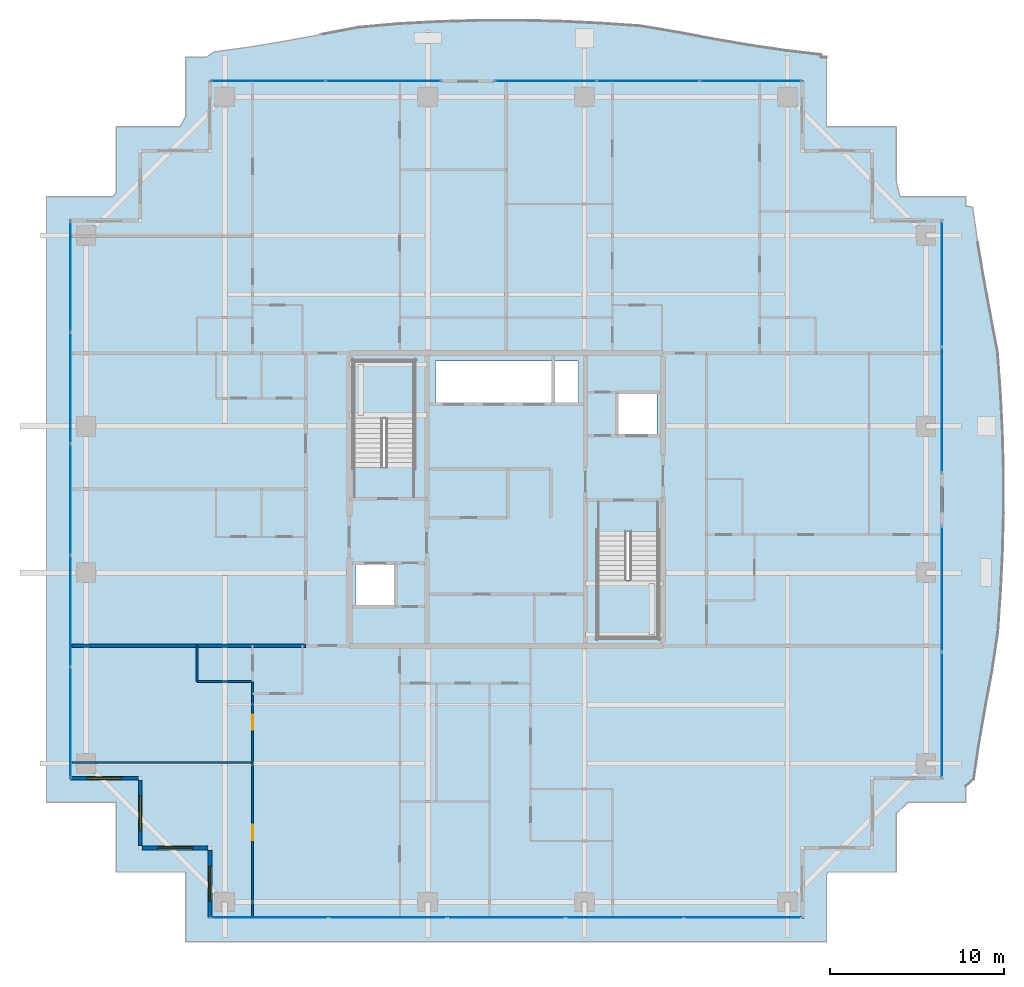
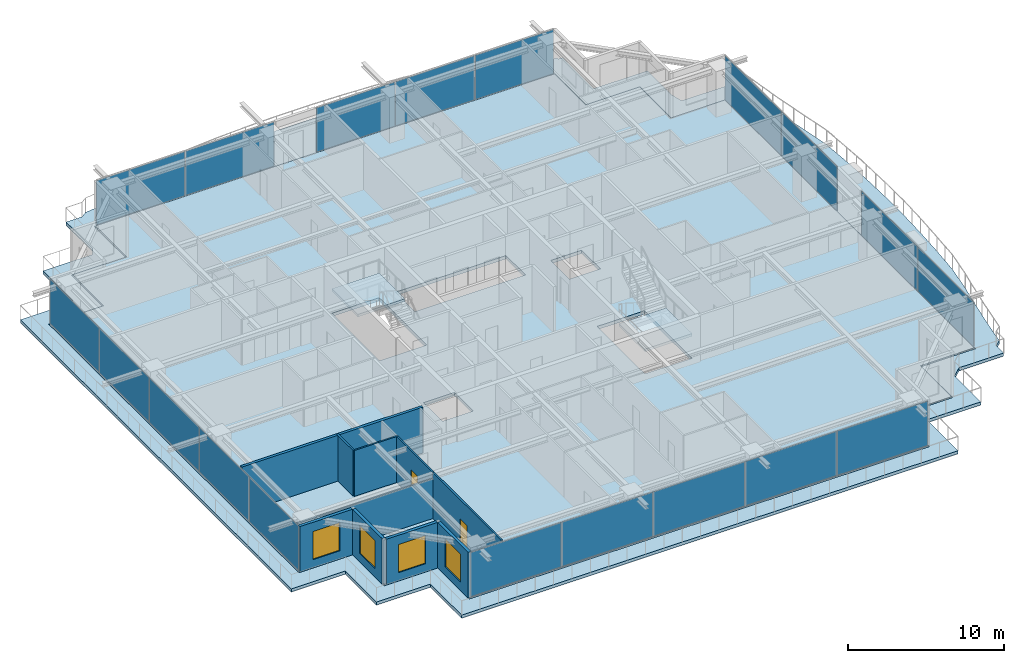
# One storey, part 25 of 37: 19 plates, 10 walls, 4 slabs, 4 windows, 2 doors, 6 openings, 8 elements without a shape of their own.
"""IFC4 building model written with IfcOpenShell, lengths in metres."""

from ifc_helpers import new_model, si_unit, direction, frame, frame_2d, origin, origin_2d, place, context, subcontext, project, spatial, polyline, rectangle, outline, extrude, source, transform, mapped, material, layer, layer_set, type_object, element, fill, aggregate, save


model = new_model("IFC4")

# Units and contexts
model_context = context("Model", 3, precision=1e-05, world=origin(), true_north=direction((0.0, 1.0)))
body_context = subcontext(model_context, "Body", "Model", "MODEL_VIEW")
ifc_project = project(units=[si_unit("LENGTHUNIT", "METRE"), si_unit("AREAUNIT", "SQUARE_METRE"), si_unit("VOLUMEUNIT", "CUBIC_METRE"), si_unit("PLANEANGLEUNIT", "RADIAN"), si_unit("MASSUNIT", "GRAM", prefix="KILO")], contexts=[model_context])

# Site, building, storey
site_placement = place(None, origin())
site = spatial("IfcSite", under=ifc_project, at=site_placement, CompositionType="ELEMENT")
building_placement = place(site_placement, origin())
building = spatial("IfcBuilding", under=site, at=building_placement, Name="Serunith Strait Residences", CompositionType="ELEMENT")
storey_placement = place(building_placement, frame((0.0, 0.0, 233.550048828125)))
storey = spatial("IfcBuildingStorey", under=building, at=storey_placement, Name="L58", CompositionType="ELEMENT", Elevation=233.550048828125)

# Slab
ifc_material_1 = material(Name="Concrete C50/60", Category="concrete")
ifc_layer_1 = layer(ifc_material_1, 0.239990234375, Name="Concrete C50/60")
ifc_layer_set_1 = layer_set([ifc_layer_1], Name="Concrete C50/60")
slab_type_1 = type_object("IfcSlabType", Name="SLB-BALC-240", PredefinedType="FLOOR", material=ifc_layer_set_1)
slab_1_placement = place(storey_placement, frame((0.0, 0.0, -0.2900390625)))
element("IfcSlab", 1, at=slab_1_placement, inside=storey, type_object=slab_type_1, Name="L58 Planted Vertical-Forest Balcony Slab", PredefinedType="FLOOR", context=body_context, shape_type="SweptSolid", body=[
    extrude(outline(polyline([(10.02001953125, 46.580078125), (13.681884765625, 46.580078125), (14.02001953125, 47.19189453125), (14.02001953125, 50.580078125), (15.205810546875, 50.580078125), (15.63671875, 50.8798828125), (17.662353515625, 51.159912109375), (19.7080078125, 51.497314453125), (21.791748046875, 51.882568359375), (23.93408203125, 52.290771484375), (26.192626953125, 52.493408203125), (28.497314453125, 52.614990234375), (30.825439453125, 52.682861328125), (33.16357421875, 52.68994140625), (35.49609375, 52.635986328125), (37.808349609375, 52.5263671875), (40.089111328125, 52.37158203125), (42.265625, 52.0048828125), (44.36669921875, 51.609619140625), (46.42333984375, 51.256103515625), (48.45458984375, 50.958740234375), (50.4755859375, 50.718505859375), (50.474609375, 50.580078125), (50.780029296875, 50.580078125), (50.780029296875, 46.580078125), (54.780029296875, 46.580078125), (54.780029296875, 43.459228515625), (54.9970703125, 42.580078125), (58.780029296875, 42.580078125), (58.780029296875, 42.039794921875), (59.168212890625, 41.974853515625), (59.460205078125, 39.94775390625), (59.80615234375, 37.898193359375), (60.194580078125, 35.80810546875), (60.598876953125, 33.65966796875), (60.764892578125, 31.39306640625), (60.881591796875, 29.092529296875), (60.943115234375, 26.77001953125), (60.943603515625, 24.438720703125), (60.883544921875, 22.1142578125), (60.769287109375, 19.809814453125), (60.611572265625, 17.535888671875), (60.2802734375, 15.34912109375), (59.886474609375, 13.243408203125), (59.530517578125, 11.1826171875), (59.226806640625, 9.148681640625), (58.780029296875, 8.7705078125), (58.780029296875, 7.820068359375), (55.471435546875, 7.820068359375), (54.780029296875, 7.172607421875), (54.780029296875, 3.820068359375), (50.881103515625, 3.820068359375), (50.780029296875, 3.665283203125), (50.780029296875, -0.179931640625), (14.02001953125, -0.179931640625), (14.02001953125, 3.820068359375), (10.02001953125, 3.820068359375), (10.02001953125, 7.820068359375), (6.02001953125, 7.820068359375), (6.02001953125, 42.580078125), (9.824951171875, 42.580078125), (10.02001953125, 42.802001953125), (10.02001953125, 46.580078125)]), holes=[polyline([(49.455078125, 1.14501953125), (49.455078125, 5.14501953125), (53.455078125, 5.14501953125), (53.455078125, 9.14501953125), (57.455078125, 9.14501953125), (57.455078125, 41.2548828125), (53.455078125, 41.2548828125), (53.455078125, 45.2548828125), (49.455078125, 45.2548828125), (49.455078125, 49.2548828125), (15.344970703125, 49.2548828125), (15.344970703125, 45.2548828125), (11.344970703125, 45.2548828125), (11.344970703125, 41.2548828125), (7.344970703125, 41.2548828125), (7.344970703125, 9.14501953125), (11.344970703125, 9.14501953125), (11.344970703125, 5.14501953125), (15.344970703125, 5.14501953125), (15.344970703125, 1.14501953125), (49.455078125, 1.14501953125)])]), origin(), (0.0, 0.0, 1.0), 0.239990234375),
])

# Stair, slab
stair_type_1 = type_object("IfcStairType", Name="STR-CORE-1", PredefinedType="HALF_TURN_STAIR", material=ifc_material_1)
stair_1_placement = place(storey_placement, origin())
stair_1 = element("IfcStair", 2, at=stair_1_placement, inside=storey, type_object=stair_type_1, Name="L58 Protected Escape Stair ST-1", PredefinedType="HALF_TURN_STAIR")
ifc_layer_2 = layer(ifc_material_1, 0.199951171875, Name="Concrete C50/60")
ifc_layer_set_2 = layer_set([ifc_layer_2], Name="Concrete C50/60")
slab_type_2 = type_object("IfcSlabType", Name="SLB-LAND-200", PredefinedType="LANDING", material=ifc_layer_set_2)
slab_2_placement = place(storey_placement, frame((0.0, 0.0, 1.724853515625)))
slab_2 = element("IfcSlab", 3, at=slab_2_placement, type_object=slab_type_2, Name="ST-1 landing 1", PredefinedType="LANDING", context=body_context, shape_type="SweptSolid", body=[
    extrude(outline(polyline([(27.14990234375, 29.830078125), (27.14990234375, 33.14990234375), (23.64990234375, 33.14990234375), (23.64990234375, 29.830078125), (27.14990234375, 29.830078125)])), origin(), (0.0, 0.0, 1.0), 0.2001953125),
])
aggregate(stair_1, [slab_2])

stair_type_2 = type_object("IfcStairType", Name="STR-CORE-2", PredefinedType="HALF_TURN_STAIR", material=ifc_material_1)
stair_2_placement = place(storey_placement, origin())
stair_2 = element("IfcStair", 4, at=stair_2_placement, inside=storey, type_object=stair_type_2, Name="L58 Protected Escape Stair ST-2", PredefinedType="HALF_TURN_STAIR")
slab_3_placement = place(storey_placement, frame((0.0, 0.0, 1.724853515625)))
slab_3 = element("IfcSlab", 5, at=slab_3_placement, type_object=slab_type_2, Name="ST-2 landing 1", PredefinedType="LANDING", context=body_context, shape_type="SweptSolid", body=[
    extrude(outline(polyline([(37.64990234375, 20.570068359375), (37.64990234375, 17.25), (41.14990234375, 17.25), (41.14990234375, 20.570068359375), (37.64990234375, 20.570068359375)])), origin(), (0.0, 0.0, 1.0), 0.2001953125),
])
aggregate(stair_2, [slab_3])

# Slab
ifc_material_2 = material(Name="Concrete C60/75", Category="concrete")
ifc_layer_3 = layer(ifc_material_2, 0.260009765625, Name="Concrete C60/75")
ifc_layer_set_3 = layer_set([ifc_layer_3], Name="Concrete C60/75")
slab_type_3 = type_object("IfcSlabType", Name="SLB-TWR-275-Z3", PredefinedType="FLOOR", material=ifc_layer_set_3)
slab_4_placement = place(storey_placement, frame((0.0, 0.0, -0.260009765625)))
element("IfcSlab", 6, at=slab_4_placement, inside=storey, type_object=slab_type_3, Name="L58 Structural Floor Plate", PredefinedType="FLOOR", context=body_context, shape_type="SweptSolid", body=[
    extrude(outline(polyline([(15.39990234375, 5.199951171875), (11.39990234375, 5.199951171875), (11.39990234375, 9.199951171875), (7.39990234375, 9.199951171875), (7.39990234375, 41.199951171875), (11.39990234375, 41.199951171875), (11.39990234375, 45.199951171875), (15.39990234375, 45.199951171875), (15.39990234375, 49.199951171875), (49.39990234375, 49.199951171875), (49.39990234375, 45.199951171875), (53.39990234375, 45.199951171875), (53.39990234375, 41.199951171875), (57.39990234375, 41.199951171875), (57.39990234375, 9.199951171875), (53.39990234375, 9.199951171875), (53.39990234375, 5.199951171875), (49.39990234375, 5.199951171875), (49.39990234375, 1.199951171875), (15.39990234375, 1.199951171875), (15.39990234375, 5.199951171875)]), holes=[polyline([(41.14990234375, 23.3701171875), (37.64990234375, 23.3701171875), (37.64990234375, 17.25), (41.14990234375, 17.25), (41.14990234375, 23.3701171875)]), polyline([(38.75, 31.25), (38.75, 28.85009765625), (41.050048828125, 28.85009765625), (41.050048828125, 31.25), (38.75, 31.25)]), polyline([(36.550048828125, 33.14990234375), (28.35009765625, 33.14990234375), (28.35009765625, 30.64990234375), (36.550048828125, 30.64990234375), (36.550048828125, 33.14990234375)]), polyline([(23.64990234375, 33.14990234375), (23.64990234375, 27.030029296875), (27.14990234375, 27.030029296875), (27.14990234375, 33.14990234375), (23.64990234375, 33.14990234375)]), polyline([(23.75, 21.550048828125), (23.75, 19.14990234375), (26.050048828125, 19.14990234375), (26.050048828125, 21.550048828125), (23.75, 21.550048828125)])]), origin(), (0.0, 0.0, 1.0), 0.260009765625),
])

# Curtain wall, plates
ifc_material_3 = material(Name="Pale-Champagne Anodised Aluminium", Category="aluminium")
ifc_layer_4 = layer(ifc_material_3, 0.199951171875, Name="Pale-Champagne Anodised Aluminium")
ifc_layer_set_4 = layer_set([ifc_layer_4], Name="Pale-Champagne Anodised Aluminium")
curtain_wall_type = type_object("IfcCurtainWallType", Name="CW-SYS4", PredefinedType="NOTDEFINED", material=ifc_layer_set_4)
curtain_wall_1_placement = place(storey_placement, origin())
curtain_wall_1 = element("IfcCurtainWall", 7, at=curtain_wall_1_placement, inside=storey, type_object=curtain_wall_type, Name="L58 W Unitised Fritted Curtain Wall", PredefinedType="NOTDEFINED")
ifc_material_4 = material(Name="Ceramic-Printed Solar-Control Glazing 28mm", Category="glass")
ifc_layer_5 = layer(ifc_material_4, 0.028076171875, Name="Ceramic-Printed Solar-Control Glazing 28mm")
ifc_layer_set_5 = layer_set([ifc_layer_5], Name="Ceramic-Printed Solar-Control Glazing 28mm")
plate_type = type_object("IfcPlateType", Name="CW-SYS4-PNL", PredefinedType="CURTAIN_PANEL", material=ifc_layer_set_5)
shared_shape_1 = source(origin(), body_context, "Body", "SweptSolid", [
    extrude(rectangle(XDim=6.302490234375, YDim=0.028076171875, at=origin_2d()), origin(), (0.0, 0.0, 1.0), 3.455078125),
])
plate_1_placement = place(storey_placement, frame((7.39990234375, 37.983642578125, 0.059814453125), z_axis=(0.0, 0.0, 1.0), x_axis=(0.0, -1.0, 0.0)))
plate_1 = element("IfcPlate", 8, at=plate_1_placement, type_object=plate_type, Name="CW-4 panel 1.1", PredefinedType="CURTAIN_PANEL", context=body_context, shape_type="MappedRepresentation", body=[
    mapped(shared_shape_1, transform((0.0, 0.0, 0.0), scale=1.0)),
])
plate_2_placement = place(storey_placement, frame((7.39990234375, 12.416259765625, 0.059814453125), z_axis=(0.0, 0.0, 1.0), x_axis=(0.0, -1.0, 0.0)))
plate_2 = element("IfcPlate", 9, at=plate_2_placement, type_object=plate_type, Name="CW-4 panel 5.1", PredefinedType="CURTAIN_PANEL", context=body_context, shape_type="MappedRepresentation", body=[
    mapped(shared_shape_1, transform((0.0, 0.0, 0.0), scale=1.0)),
])
shared_shape_2 = source(origin(), body_context, "Body", "SweptSolid", [
    extrude(rectangle(XDim=6.3349609375, YDim=0.028076171875, at=origin_2d()), origin(), (0.0, 0.0, 1.0), 3.455078125),
])
plate_3_placement = place(storey_placement, frame((7.39990234375, 31.60009765625, 0.059814453125), z_axis=(0.0, 0.0, 1.0), x_axis=(0.0, -1.0, 0.0)))
plate_3 = element("IfcPlate", 10, at=plate_3_placement, type_object=plate_type, Name="CW-4 panel 2.1", PredefinedType="CURTAIN_PANEL", context=body_context, shape_type="MappedRepresentation", body=[
    mapped(shared_shape_2, transform((0.0, 0.0, 0.0), scale=1.0)),
])
plate_4_placement = place(storey_placement, frame((7.39990234375, 25.199951171875, 0.059814453125), z_axis=(0.0, 0.0, 1.0), x_axis=(0.0, -1.0, 0.0)))
plate_4 = element("IfcPlate", 11, at=plate_4_placement, type_object=plate_type, Name="CW-4 panel 3.1", PredefinedType="CURTAIN_PANEL", context=body_context, shape_type="MappedRepresentation", body=[
    mapped(shared_shape_2, transform((0.0, 0.0, 0.0), scale=1.0)),
])
plate_5_placement = place(storey_placement, frame((7.39990234375, 18.800048828125, 0.059814453125), z_axis=(0.0, 0.0, 1.0), x_axis=(0.0, -1.0, 0.0)))
plate_5 = element("IfcPlate", 12, at=plate_5_placement, type_object=plate_type, Name="CW-4 panel 4.1", PredefinedType="CURTAIN_PANEL", context=body_context, shape_type="MappedRepresentation", body=[
    mapped(shared_shape_2, transform((0.0, 0.0, 0.0), scale=1.0)),
])
aggregate(curtain_wall_1, [plate_1, plate_3, plate_4, plate_5, plate_2])

curtain_wall_2_placement = place(storey_placement, origin())
curtain_wall_2 = element("IfcCurtainWall", 13, at=curtain_wall_2_placement, inside=storey, type_object=curtain_wall_type, Name="L58 S Unitised Fritted Curtain Wall", PredefinedType="NOTDEFINED")
shared_shape_3 = source(origin(), body_context, "Body", "SweptSolid", [
    extrude(rectangle(XDim=6.702392578125, YDim=0.028076171875, at=origin_2d()), origin(), (0.0, 0.0, 1.0), 3.455078125),
])
plate_6_placement = place(storey_placement, frame((18.816162109375, 1.199951171875, 0.059814453125), z_axis=(0.0, 0.0, 1.0), x_axis=(1.0, 0.0, 0.0)))
plate_6 = element("IfcPlate", 14, at=plate_6_placement, type_object=plate_type, Name="CW-4 panel 1.1", PredefinedType="CURTAIN_PANEL", context=body_context, shape_type="MappedRepresentation", body=[
    mapped(shared_shape_3, transform((0.0, 0.0, 0.0), scale=1.0)),
])
plate_7_placement = place(storey_placement, frame((45.983642578125, 1.199951171875, 0.059814453125), z_axis=(0.0, 0.0, 1.0), x_axis=(1.0, 0.0, 0.0)))
plate_7 = element("IfcPlate", 15, at=plate_7_placement, type_object=plate_type, Name="CW-4 panel 5.1", PredefinedType="CURTAIN_PANEL", context=body_context, shape_type="MappedRepresentation", body=[
    mapped(shared_shape_3, transform((0.0, 0.0, 0.0), scale=1.0)),
])
shared_shape_4 = source(origin(), body_context, "Body", "SweptSolid", [
    extrude(rectangle(XDim=6.735107421875, YDim=0.028076171875, at=origin_2d()), origin(), (0.0, 0.0, 1.0), 3.455078125),
])
plate_8_placement = place(storey_placement, frame((25.60009765625, 1.199951171875, 0.059814453125), z_axis=(0.0, 0.0, 1.0), x_axis=(1.0, 0.0, 0.0)))
plate_8 = element("IfcPlate", 16, at=plate_8_placement, type_object=plate_type, Name="CW-4 panel 2.1", PredefinedType="CURTAIN_PANEL", context=body_context, shape_type="MappedRepresentation", body=[
    mapped(shared_shape_4, transform((0.0, 0.0, 0.0), scale=1.0)),
])
plate_9_placement = place(storey_placement, frame((32.39990234375, 1.199951171875, 0.059814453125), z_axis=(0.0, 0.0, 1.0), x_axis=(1.0, 0.0, 0.0)))
plate_9 = element("IfcPlate", 17, at=plate_9_placement, type_object=plate_type, Name="CW-4 panel 3.1", PredefinedType="CURTAIN_PANEL", context=body_context, shape_type="MappedRepresentation", body=[
    mapped(shared_shape_4, transform((0.0, 0.0, 0.0), scale=1.0)),
])
plate_10_placement = place(storey_placement, frame((39.199951171875, 1.199951171875, 0.059814453125), z_axis=(0.0, 0.0, 1.0), x_axis=(1.0, 0.0, 0.0)))
plate_10 = element("IfcPlate", 18, at=plate_10_placement, type_object=plate_type, Name="CW-4 panel 4.1", PredefinedType="CURTAIN_PANEL", context=body_context, shape_type="MappedRepresentation", body=[
    mapped(shared_shape_4, transform((0.0, 0.0, 0.0), scale=1.0)),
])
aggregate(curtain_wall_2, [plate_6, plate_8, plate_9, plate_10, plate_7])

curtain_wall_3_placement = place(storey_placement, origin())
curtain_wall_3 = element("IfcCurtainWall", 19, at=curtain_wall_3_placement, inside=storey, type_object=curtain_wall_type, Name="L58 E Unitised Fritted Curtain Wall", PredefinedType="NOTDEFINED")
shared_shape_5 = source(origin(), body_context, "Body", "SweptSolid", [
    extrude(rectangle(XDim=7.152587890625, YDim=0.028076171875, at=origin_2d()), origin(), (0.0, 0.0, 1.0), 3.455078125),
])
plate_11_placement = place(storey_placement, frame((57.39990234375, 12.84130859375, 0.059814453125), z_axis=(0.0, 0.0, 1.0), x_axis=(0.0, 1.0, 0.0)))
plate_11 = element("IfcPlate", 20, at=plate_11_placement, type_object=plate_type, Name="CW-4 panel 1.1", PredefinedType="CURTAIN_PANEL", context=body_context, shape_type="MappedRepresentation", body=[
    mapped(shared_shape_5, transform((0.0, 0.0, 0.0), scale=1.0)),
])
plate_12_placement = place(storey_placement, frame((57.39990234375, 20.058837890625, 0.059814453125), z_axis=(0.0, 0.0, 1.0), x_axis=(0.0, 1.0, 0.0)))
plate_12 = element("IfcPlate", 21, at=plate_12_placement, type_object=plate_type, Name="CW-4 panel 2.1", PredefinedType="CURTAIN_PANEL", context=body_context, shape_type="MappedRepresentation", body=[
    mapped(shared_shape_5, transform((0.0, 0.0, 0.0), scale=1.0)),
])
aggregate(curtain_wall_3, [plate_11, plate_12])

curtain_wall_4_placement = place(storey_placement, origin())
curtain_wall_4 = element("IfcCurtainWall", 22, at=curtain_wall_4_placement, inside=storey, type_object=curtain_wall_type, Name="L58 E Unitised Fritted Curtain Wall", PredefinedType="NOTDEFINED")
plate_13_placement = place(storey_placement, frame((57.39990234375, 30.34130859375, 0.059814453125), z_axis=(0.0, 0.0, 1.0), x_axis=(0.0, 1.0, 0.0)))
plate_13 = element("IfcPlate", 23, at=plate_13_placement, type_object=plate_type, Name="CW-4 panel 1.1", PredefinedType="CURTAIN_PANEL", context=body_context, shape_type="MappedRepresentation", body=[
    mapped(shared_shape_5, transform((0.0, 0.0, 0.0), scale=1.0)),
])
plate_14_placement = place(storey_placement, frame((57.39990234375, 37.558837890625, 0.059814453125), z_axis=(0.0, 0.0, 1.0), x_axis=(0.0, 1.0, 0.0)))
plate_14 = element("IfcPlate", 24, at=plate_14_placement, type_object=plate_type, Name="CW-4 panel 2.1", PredefinedType="CURTAIN_PANEL", context=body_context, shape_type="MappedRepresentation", body=[
    mapped(shared_shape_5, transform((0.0, 0.0, 0.0), scale=1.0)),
])
aggregate(curtain_wall_4, [plate_13, plate_14])

curtain_wall_5_placement = place(storey_placement, origin())
curtain_wall_5 = element("IfcCurtainWall", 25, at=curtain_wall_5_placement, inside=storey, type_object=curtain_wall_type, Name="L58 N Unitised Fritted Curtain Wall", PredefinedType="NOTDEFINED")
shared_shape_6 = source(origin(), body_context, "Body", "SweptSolid", [
    extrude(rectangle(XDim=6.552490234375, YDim=0.028076171875, at=origin_2d()), origin(), (0.0, 0.0, 1.0), 3.455078125),
])
plate_15_placement = place(storey_placement, frame((25.358642578125, 49.199951171875, 0.059814453125), z_axis=(0.0, 0.0, 1.0), x_axis=(-1.0, 0.0, 0.0)))
plate_15 = element("IfcPlate", 26, at=plate_15_placement, type_object=plate_type, Name="CW-4 panel 1.1", PredefinedType="CURTAIN_PANEL", context=body_context, shape_type="MappedRepresentation", body=[
    mapped(shared_shape_6, transform((0.0, 0.0, 0.0), scale=1.0)),
])
plate_16_placement = place(storey_placement, frame((18.7412109375, 49.199951171875, 0.059814453125), z_axis=(0.0, 0.0, 1.0), x_axis=(-1.0, 0.0, 0.0)))
plate_16 = element("IfcPlate", 27, at=plate_16_placement, type_object=plate_type, Name="CW-4 panel 2.1", PredefinedType="CURTAIN_PANEL", context=body_context, shape_type="MappedRepresentation", body=[
    mapped(shared_shape_6, transform((0.0, 0.0, 0.0), scale=1.0)),
])
aggregate(curtain_wall_5, [plate_15, plate_16])

curtain_wall_6_placement = place(storey_placement, origin())
curtain_wall_6 = element("IfcCurtainWall", 28, at=curtain_wall_6_placement, inside=storey, type_object=curtain_wall_type, Name="L58 N Unitised Fritted Curtain Wall", PredefinedType="NOTDEFINED")
shared_shape_7 = source(origin(), body_context, "Body", "SweptSolid", [
    extrude(rectangle(XDim=5.802490234375, YDim=0.028076171875, at=origin_2d()), origin(), (0.0, 0.0, 1.0), 3.455078125),
])
plate_17_placement = place(storey_placement, frame((46.433837890625, 49.199951171875, 0.059814453125), z_axis=(0.0, 0.0, 1.0), x_axis=(-1.0, 0.0, 0.0)))
plate_17 = element("IfcPlate", 29, at=plate_17_placement, type_object=plate_type, Name="CW-4 panel 1.1", PredefinedType="CURTAIN_PANEL", context=body_context, shape_type="MappedRepresentation", body=[
    mapped(shared_shape_7, transform((0.0, 0.0, 0.0), scale=1.0)),
])
plate_18_placement = place(storey_placement, frame((34.666259765625, 49.199951171875, 0.059814453125), z_axis=(0.0, 0.0, 1.0), x_axis=(-1.0, 0.0, 0.0)))
plate_18 = element("IfcPlate", 30, at=plate_18_placement, type_object=plate_type, Name="CW-4 panel 3.1", PredefinedType="CURTAIN_PANEL", context=body_context, shape_type="MappedRepresentation", body=[
    mapped(shared_shape_7, transform((0.0, 0.0, 0.0), scale=1.0)),
])
shared_shape_8 = source(origin(), body_context, "Body", "SweptSolid", [
    extrude(rectangle(XDim=5.8349609375, YDim=0.028076171875, at=origin_2d()), origin(), (0.0, 0.0, 1.0), 3.455078125),
])
plate_19_placement = place(storey_placement, frame((40.550048828125, 49.199951171875, 0.059814453125), z_axis=(0.0, 0.0, 1.0), x_axis=(-1.0, 0.0, 0.0)))
plate_19 = element("IfcPlate", 31, at=plate_19_placement, type_object=plate_type, Name="CW-4 panel 2.1", PredefinedType="CURTAIN_PANEL", context=body_context, shape_type="MappedRepresentation", body=[
    mapped(shared_shape_8, transform((0.0, 0.0, 0.0), scale=1.0)),
])
aggregate(curtain_wall_6, [plate_17, plate_19, plate_18])

# Wall, opening, window
ifc_material_5 = material(Name="Pale-Champagne Aluminium Insulated Panel", Category="aluminium")
ifc_layer_6 = layer(ifc_material_5, 0.219970703125, Name="Pale-Champagne Aluminium Insulated Panel")
ifc_layer_set_6 = layer_set([ifc_layer_6], Name="Pale-Champagne Aluminium Insulated Panel")
wall_type_1 = type_object("IfcWallType", Name="EW-ALUM-220", PredefinedType="ELEMENTEDWALL", material=ifc_layer_set_6)
wall_1_placement = place(storey_placement, frame((7.39990234375, 9.199951171875, 0.0), z_axis=(0.0, 0.0, 1.0), x_axis=(1.0, 0.0, 0.0)))
wall_1 = element("IfcWall", 32, at=wall_1_placement, inside=storey, type_object=wall_type_1, Name="L58 Girih Serrated Corner Wall 17", PredefinedType="ELEMENTEDWALL", context=body_context, shape_type="SweptSolid", body=[
    extrude(rectangle(XDim=3.89013671875, YDim=0.219970703125, at=frame_2d((1.945068359375, 0.0))), origin(), (0.0, 0.0, 1.0), 3.574951171875),
])
opening_1_placement = place(wall_1_placement, frame((0.945068359375, 0.0, 0.64990234375)))
opening_1 = element("IfcOpeningElement", 33, at=opening_1_placement, cuts=wall_1, Name="Opening W-04", PredefinedType="OPENING", context=body_context, shape_type="SweptSolid", body=[
    extrude(rectangle(XDim=2.0, YDim=2.199951171875, at=frame_2d((1.0, 1.10009765625))), frame((0.0, 0.1201171875, 0.0), z_axis=(0.0, -1.0, 0.0), x_axis=(1.0, 0.0, 0.0)), (0.0, 0.0, 1.0), 0.239990234375),
])
ifc_material_6 = material(Name="Ceramic-Fritted Operable Aluminium Window Glass", Category="aluminium")
window_type = type_object("IfcWindowType", Name="WIN-C4", PartitioningType="TRIPLE_PANEL_VERTICAL", PredefinedType="WINDOW", material=ifc_material_6)
shared_shape_9 = source(origin(), body_context, "Body", "SweptSolid", [
    extrude(rectangle(XDim=2.0, YDim=2.199951171875, at=frame_2d((1.0, 1.10009765625))), frame((0.0, 0.030029296875, 0.0), z_axis=(0.0, -1.0, 0.0), x_axis=(1.0, 0.0, 0.0)), (0.0, 0.0, 1.0), 0.06005859375),
])
window_1_placement = place(opening_1_placement, origin())
window_1 = element("IfcWindow", 34, at=window_1_placement, inside=storey, type_object=window_type, Name="L58 Corner Operable Fritted Window 17", OverallHeight=2.199951171875, OverallWidth=2.0, PartitioningType="SINGLE_PANEL", PredefinedType="WINDOW", context=body_context, shape_type="MappedRepresentation", body=[
    mapped(shared_shape_9, transform((0.0, 0.0, 0.0), scale=1.0)),
])
fill(opening_1, window_1)

wall_2_placement = place(storey_placement, frame((11.39990234375, 9.090087890625, 0.0), z_axis=(0.0, 0.0, 1.0), x_axis=(0.0, -1.0, 0.0)))
wall_2 = element("IfcWall", 35, at=wall_2_placement, inside=storey, type_object=wall_type_1, Name="L58 Girih Serrated Corner Wall 18", PredefinedType="ELEMENTEDWALL", context=body_context, shape_type="SweptSolid", body=[
    extrude(rectangle(XDim=3.780029296875, YDim=0.219970703125, at=frame_2d((1.89013671875, 0.0))), origin(), (0.0, 0.0, 1.0), 3.574951171875),
])
opening_2_placement = place(wall_2_placement, frame((0.889892578125, 0.0, 0.64990234375)))
opening_2 = element("IfcOpeningElement", 36, at=opening_2_placement, cuts=wall_2, Name="Opening W-04", PredefinedType="OPENING", context=body_context, shape_type="SweptSolid", body=[
    extrude(rectangle(XDim=2.0, YDim=2.199951171875, at=frame_2d((1.0, 1.10009765625))), frame((0.0, 0.1201171875, 0.0), z_axis=(0.0, -1.0, 0.0), x_axis=(1.0, 0.0, 0.0)), (0.0, 0.0, 1.0), 0.239990234375),
])
window_2_placement = place(opening_2_placement, origin())
window_2 = element("IfcWindow", 37, at=window_2_placement, inside=storey, type_object=window_type, Name="L58 Corner Operable Fritted Window 18", OverallHeight=2.199951171875, OverallWidth=2.0, PartitioningType="SINGLE_PANEL", PredefinedType="WINDOW", context=body_context, shape_type="MappedRepresentation", body=[
    mapped(shared_shape_9, transform((0.0, 0.0, 0.0), scale=1.0)),
])
fill(opening_2, window_2)

wall_3_placement = place(storey_placement, frame((11.510009765625, 5.199951171875, 0.0), z_axis=(0.0, 0.0, 1.0), x_axis=(1.0, 0.0, 0.0)))
wall_3 = element("IfcWall", 38, at=wall_3_placement, inside=storey, type_object=wall_type_1, Name="L58 Girih Serrated Corner Wall 19", PredefinedType="ELEMENTEDWALL", context=body_context, shape_type="SweptSolid", body=[
    extrude(rectangle(XDim=3.780029296875, YDim=0.219970703125, at=frame_2d((1.89013671875, 0.0))), origin(), (0.0, 0.0, 1.0), 3.574951171875),
])
opening_3_placement = place(wall_3_placement, frame((0.889892578125, 0.0, 0.64990234375)))
opening_3 = element("IfcOpeningElement", 39, at=opening_3_placement, cuts=wall_3, Name="Opening W-04", PredefinedType="OPENING", context=body_context, shape_type="SweptSolid", body=[
    extrude(rectangle(XDim=2.0, YDim=2.199951171875, at=frame_2d((1.0, 1.10009765625))), frame((0.0, 0.1201171875, 0.0), z_axis=(0.0, -1.0, 0.0), x_axis=(1.0, 0.0, 0.0)), (0.0, 0.0, 1.0), 0.239990234375),
])
window_3_placement = place(opening_3_placement, origin())
window_3 = element("IfcWindow", 40, at=window_3_placement, inside=storey, type_object=window_type, Name="L58 Corner Operable Fritted Window 19", OverallHeight=2.199951171875, OverallWidth=2.0, PartitioningType="SINGLE_PANEL", PredefinedType="WINDOW", context=body_context, shape_type="MappedRepresentation", body=[
    mapped(shared_shape_9, transform((0.0, 0.0, 0.0), scale=1.0)),
])
fill(opening_3, window_3)

wall_4_placement = place(storey_placement, frame((15.39990234375, 5.090087890625, 0.0), z_axis=(0.0, 0.0, 1.0), x_axis=(0.0, -1.0, 0.0)))
wall_4 = element("IfcWall", 41, at=wall_4_placement, inside=storey, type_object=wall_type_1, Name="L58 Girih Serrated Corner Wall 20", PredefinedType="ELEMENTEDWALL", context=body_context, shape_type="SweptSolid", body=[
    extrude(rectangle(XDim=3.89013671875, YDim=0.219970703125, at=frame_2d((1.945068359375, 0.0))), origin(), (0.0, 0.0, 1.0), 3.574951171875),
])
opening_4_placement = place(wall_4_placement, frame((0.945068359375, 0.0, 0.64990234375)))
opening_4 = element("IfcOpeningElement", 42, at=opening_4_placement, cuts=wall_4, Name="Opening W-04", PredefinedType="OPENING", context=body_context, shape_type="SweptSolid", body=[
    extrude(rectangle(XDim=2.0, YDim=2.199951171875, at=frame_2d((1.0, 1.10009765625))), frame((0.0, 0.1201171875, 0.0), z_axis=(0.0, -1.0, 0.0), x_axis=(1.0, 0.0, 0.0)), (0.0, 0.0, 1.0), 0.239990234375),
])
window_4_placement = place(opening_4_placement, origin())
window_4 = element("IfcWindow", 43, at=window_4_placement, inside=storey, type_object=window_type, Name="L58 Corner Operable Fritted Window 20", OverallHeight=2.199951171875, OverallWidth=2.0, PartitioningType="SINGLE_PANEL", PredefinedType="WINDOW", context=body_context, shape_type="MappedRepresentation", body=[
    mapped(shared_shape_9, transform((0.0, 0.0, 0.0), scale=1.0)),
])
fill(opening_4, window_4)

# Wall, opening, door
ifc_material_7 = material(Name="Lightweight steel-stud gypsum partition", Category="steel")
ifc_layer_7 = layer(ifc_material_7, 0.1201171875, Name="Lightweight steel-stud gypsum partition")
ifc_layer_set_7 = layer_set([ifc_layer_7], Name="Lightweight steel-stud gypsum partition")
wall_type_2 = type_object("IfcWallType", Name="IW-PART-120", PredefinedType="PARTITIONING", material=ifc_layer_set_7)
wall_5_placement = place(storey_placement, frame((17.85009765625, 1.294921875, 0.0), z_axis=(0.0, 0.0, 1.0), x_axis=(0.0, 1.0, 0.0)))
wall_5 = element("IfcWall", 44, at=wall_5_placement, inside=storey, type_object=wall_type_2, Name="L58 Partition Wall 034", PredefinedType="PARTITIONING", context=body_context, shape_type="SweptSolid", body=[
    extrude(rectangle(XDim=8.799072265625, YDim=0.1201171875, at=frame_2d((4.3994140625, 0.0))), origin(), (0.0, 0.0, 1.0), 3.58984375),
])
opening_5_placement = place(wall_5_placement, frame((4.343994140625, 0.0, 0.0)))
opening_5 = element("IfcOpeningElement", 45, at=opening_5_placement, cuts=wall_5, Name="Opening D-RM900", PredefinedType="OPENING", context=body_context, shape_type="SweptSolid", body=[
    extrude(rectangle(XDim=0.89990234375, YDim=2.10009765625, at=frame_2d((0.449951171875, 1.050048828125))), frame((0.0, 0.070068359375, 0.0), z_axis=(0.0, -1.0, 0.0), x_axis=(1.0, 0.0, 0.0)), (0.0, 0.0, 1.0), 0.14013671875),
])
ifc_material_8 = material(Name="Engineered timber flush bedroom door", Category="wood")
door_type_1 = type_object("IfcDoorType", Name="ID-ROOM-900", OperationType="NOTDEFINED", PredefinedType="DOOR", material=ifc_material_8)
shared_shape_10 = source(origin(), body_context, "Body", "SweptSolid", [
    extrude(rectangle(XDim=0.89990234375, YDim=2.10009765625, at=frame_2d((0.449951171875, 1.050048828125))), frame((0.0, 0.02490234375, 0.0), z_axis=(0.0, -1.0, 0.0), x_axis=(1.0, 0.0, 0.0)), (0.0, 0.0, 1.0), 0.050048828125),
])
door_1_placement = place(opening_5_placement, origin())
door_1 = element("IfcDoor", 46, at=door_1_placement, inside=storey, type_object=door_type_1, Name="L58 Master Bedroom 1 5801 Door", OperationType="SINGLE_SWING_LEFT", OverallHeight=2.10009765625, OverallWidth=0.89990234375, PredefinedType="DOOR", context=body_context, shape_type="MappedRepresentation", body=[
    mapped(shared_shape_10, transform((0.0, 0.0, 0.0), scale=1.0)),
])
fill(opening_5, door_1)

# Walls
wall_6_placement = place(storey_placement, frame((7.4951171875, 10.093994140625, 0.0), z_axis=(0.0, 0.0, 1.0), x_axis=(1.0, 0.0, 0.0)))
element("IfcWall", 47, at=wall_6_placement, inside=storey, type_object=wall_type_2, Name="L58 Partition Wall 035", PredefinedType="PARTITIONING", context=body_context, shape_type="SweptSolid", body=[
    extrude(rectangle(XDim=10.35498046875, YDim=0.1201171875, at=frame_2d((5.177490234375, 0.0))), origin(), (0.0, 0.0, 1.0), 3.1220703125),
])
wall_7_placement = place(storey_placement, frame((14.64990234375, 14.75, 0.0), z_axis=(0.0, 0.0, 1.0), x_axis=(1.0, 0.0, 0.0)))
element("IfcWall", 48, at=wall_7_placement, inside=storey, type_object=wall_type_2, Name="L58 Partition Wall 036", PredefinedType="PARTITIONING", context=body_context, shape_type="SweptSolid", body=[
    extrude(rectangle(XDim=3.2001953125, YDim=0.1201171875, at=frame_2d((1.60009765625, 0.0))), origin(), (0.0, 0.0, 1.0), 3.58984375),
])
wall_8_placement = place(storey_placement, frame((14.64990234375, 14.75, 0.0), z_axis=(0.0, 0.0, 1.0), x_axis=(0.0, 1.0, 0.0)))
element("IfcWall", 49, at=wall_8_placement, inside=storey, type_object=wall_type_2, Name="L58 Partition Wall 037", PredefinedType="PARTITIONING", context=body_context, shape_type="SweptSolid", body=[
    extrude(rectangle(XDim=2.110107421875, YDim=0.1201171875, at=frame_2d((1.05517578125, 0.0))), origin(), (0.0, 0.0, 1.0), 3.58984375),
])

# Wall, opening, door
wall_9_placement = place(storey_placement, frame((17.85009765625, 10.095947265625, 0.0), z_axis=(0.0, 0.0, 1.0), x_axis=(0.0, 1.0, 0.0)))
wall_9 = element("IfcWall", 50, at=wall_9_placement, inside=storey, type_object=wall_type_2, Name="L58 Partition Wall 038", PredefinedType="PARTITIONING", context=body_context, shape_type="SweptSolid", body=[
    extrude(rectangle(XDim=4.654052734375, YDim=0.1201171875, at=frame_2d((2.3271484375, 0.0))), origin(), (0.0, 0.0, 1.0), 3.58984375),
])
opening_6_placement = place(wall_9_placement, frame((1.902099609375, 0.0, 0.0)))
opening_6 = element("IfcOpeningElement", 51, at=opening_6_placement, cuts=wall_9, Name="Opening D-RM850", PredefinedType="OPENING", context=body_context, shape_type="SweptSolid", body=[
    extrude(rectangle(XDim=0.85009765625, YDim=2.10009765625, at=frame_2d((0.425048828125, 1.050048828125))), frame((0.0, 0.070068359375, 0.0), z_axis=(0.0, -1.0, 0.0), x_axis=(1.0, 0.0, 0.0)), (0.0, 0.0, 1.0), 0.14013671875),
])
ifc_material_9 = material(Name="Engineered timber flush study and kitchen door", Category="wood")
door_type_2 = type_object("IfcDoorType", Name="ID-ROOM-850", OperationType="NOTDEFINED", PredefinedType="DOOR", material=ifc_material_9)
shared_shape_11 = source(origin(), body_context, "Body", "SweptSolid", [
    extrude(rectangle(XDim=0.85009765625, YDim=2.10009765625, at=frame_2d((0.425048828125, 1.050048828125))), frame((0.0, 0.02490234375, 0.0), z_axis=(0.0, -1.0, 0.0), x_axis=(1.0, 0.0, 0.0)), (0.0, 0.0, 1.0), 0.050048828125),
])
door_2_placement = place(opening_6_placement, origin())
door_2 = element("IfcDoor", 52, at=door_2_placement, inside=storey, type_object=door_type_2, Name="L58 Walk-in Wardrobe 5801 Door", OperationType="SINGLE_SWING_RIGHT", OverallHeight=2.10009765625, OverallWidth=0.85009765625, PredefinedType="DOOR", context=body_context, shape_type="MappedRepresentation", body=[
    mapped(shared_shape_11, transform((0.0, 0.0, 0.0), scale=1.0)),
])
fill(opening_6, door_2)

# Wall
ifc_material_10 = material(Name="Twin-stud acoustic gypsum board partition")
ifc_layer_8 = layer(ifc_material_10, 0.199951171875, Name="Twin-stud acoustic gypsum board partition")
ifc_layer_set_8 = layer_set([ifc_layer_8], Name="Twin-stud acoustic gypsum board partition")
wall_type_3 = type_object("IfcWallType", Name="IW-PARTY-200", PredefinedType="PARTITIONING", material=ifc_layer_set_8)
wall_10_placement = place(storey_placement, frame((7.48193359375, 16.800048828125, 0.0), z_axis=(0.0, 0.0, 1.0), x_axis=(1.0, 0.0, 0.0)))
element("IfcWall", 53, at=wall_10_placement, inside=storey, type_object=wall_type_3, Name="L58 Partition Wall 022", PredefinedType="PARTITIONING", context=body_context, shape_type="SweptSolid", body=[
    extrude(rectangle(XDim=13.41796875, YDim=0.199951171875, at=frame_2d((6.708984375, 0.0))), origin(), (0.0, 0.0, 1.0), 3.58984375),
])

save(model, "model.ifc")
